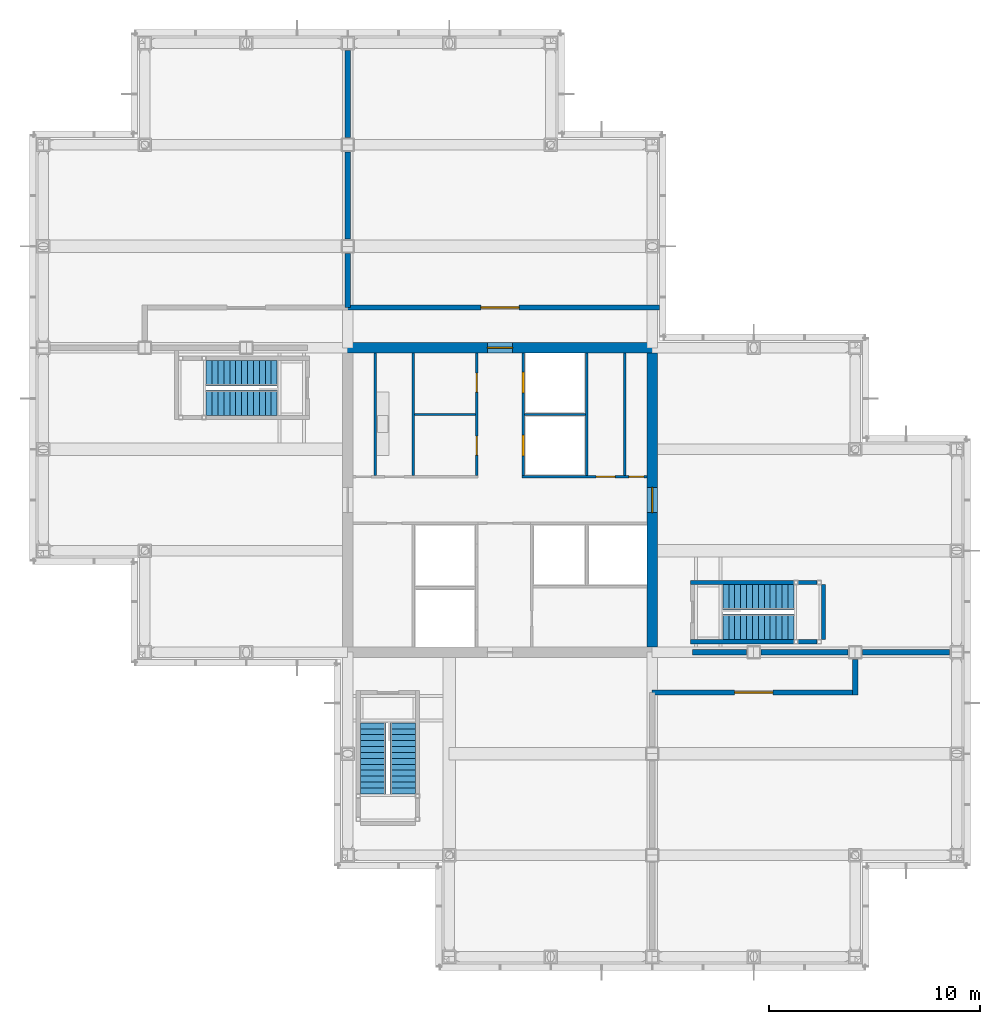
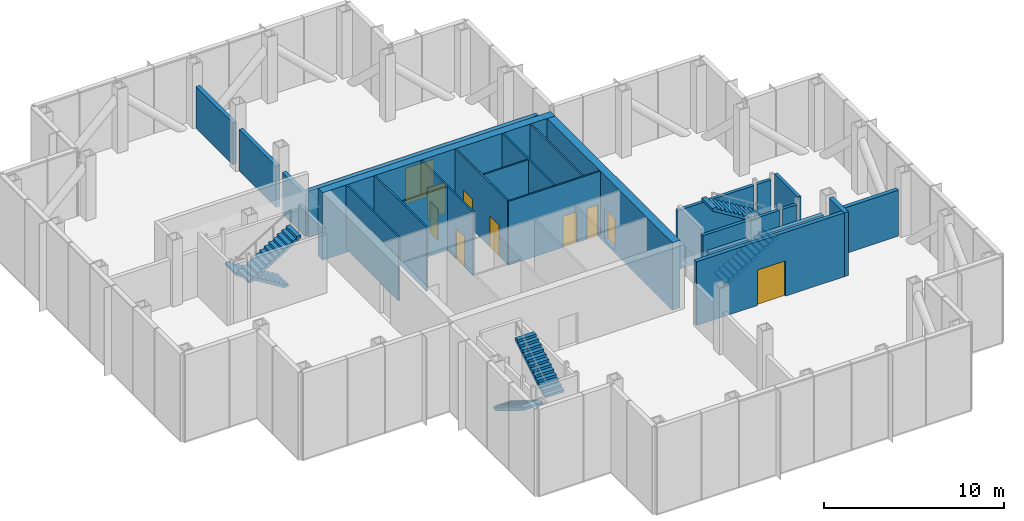
# One storey, part 14 of 17: 25 walls, 10 doors, 6 stair flights, 10 openings, 3 elements without a shape of their own.
"""IFC4 building model written with IfcOpenShell, lengths in metres."""

from ifc_helpers import new_model, si_unit, direction, frame, frame_2d, origin, place, context, subcontext, project, spatial, polyline, rectangle, outline, extrude, material, layer, layer_set, type_object, element, fill, aggregate, save


model = new_model("IFC4")

# Units and contexts
model_context = context("Model", 3, precision=1e-05, world=origin(), true_north=direction((0.0, 1.0)))
body_context = subcontext(model_context, "Body", "Model", "MODEL_VIEW")
ifc_project = project(units=[si_unit("LENGTHUNIT", "METRE"), si_unit("AREAUNIT", "SQUARE_METRE"), si_unit("VOLUMEUNIT", "CUBIC_METRE"), si_unit("PLANEANGLEUNIT", "RADIAN"), si_unit("MASSUNIT", "GRAM", prefix="KILO")], contexts=[model_context])

# Site, building, storey
site_placement = place(None, origin())
site = spatial("IfcSite", under=ifc_project, at=site_placement, CompositionType="ELEMENT")
building_placement = place(site_placement, origin())
building = spatial("IfcBuilding", under=site, at=building_placement, Name="Kvirike Care Tower", CompositionType="ELEMENT")
storey_placement = place(building_placement, frame((0.0, 0.0, 136.5)))
storey = spatial("IfcBuildingStorey", under=building, at=storey_placement, Name="L37", CompositionType="ELEMENT", Elevation=136.5)

# Wall, opening, door
ifc_material_1 = material(Name="Concrete C50/60", Category="concrete")
ifc_layer_1 = layer(ifc_material_1, 0.5)
ifc_layer_set_1 = layer_set([ifc_layer_1], Name="CORE WALL 500 C50-60")
wall_type_1 = type_object("IfcWallType", Name="CORE WALL 500 C50-60", PredefinedType="SHEAR", material=ifc_layer_set_1)
wall_1_placement = place(storey_placement, frame((29.050048828125, 43.199951171875, -0.25), z_axis=(0.0, 0.0, 1.0), x_axis=(-1.0, 0.0, 0.0)))
wall_1 = element("IfcWall", 1, at=wall_1_placement, inside=storey, type_object=wall_type_1, Name="Core wall N L37", PredefinedType="SHEAR", context=body_context, shape_type="SweptSolid", body=[
    extrude(rectangle(XDim=14.900146484375, YDim=0.5, at=frame_2d((7.4501953125, 0.0))), origin(), (0.0, 0.0, 1.0), 4.580078125),
])
opening_1_placement = place(wall_1_placement, frame((6.85009765625, 0.0, 0.25)))
opening_1 = element("IfcOpeningElement", 2, at=opening_1_placement, cuts=wall_1, Name="Opening 37-023", PredefinedType="OPENING", context=body_context, shape_type="SweptSolid", body=[
    extrude(rectangle(XDim=1.199951171875, YDim=2.10009765625, at=frame_2d((0.60009765625, 1.050048828125))), frame((0.0, 0.260498046875, 0.0), z_axis=(0.0, -1.0, 0.0), x_axis=(1.0, 0.0, 0.0)), (0.0, 0.0, 1.0), 0.52099609375),
])
ifc_material_2 = material(Name="Timber door set", Category="wood")
door_type_1 = type_object("IfcDoorType", Name="CORE DOOR 1200", OperationType="SINGLE_SWING_LEFT", PredefinedType="DOOR", material=ifc_material_2)
door_1_placement = place(opening_1_placement, origin())
door_1 = element("IfcDoor", 3, at=door_1_placement, inside=storey, type_object=door_type_1, Name="Core door N L37", OperationType="SINGLE_SWING_LEFT", OverallHeight=2.10009765625, OverallWidth=1.199951171875, PredefinedType="DOOR", context=body_context, shape_type="SweptSolid", body=[
    extrude(rectangle(XDim=1.199951171875, YDim=2.10009765625, at=frame_2d((0.60009765625, 1.050048828125))), frame((0.0, 0.02685546875, 0.0), z_axis=(0.0, -1.0, 0.0), x_axis=(1.0, 0.0, 0.0)), (0.0, 0.0, 1.0), 0.053955078125),
])
fill(opening_1, door_1)

wall_2_placement = place(storey_placement, frame((28.800048828125, 29.050048828125, -0.25), z_axis=(0.0, 0.0, 1.0), x_axis=(0.0, 1.0, 0.0)))
wall_2 = element("IfcWall", 4, at=wall_2_placement, inside=storey, type_object=wall_type_1, Name="Core wall E L37", PredefinedType="SHEAR", context=body_context, shape_type="SweptSolid", body=[
    extrude(rectangle(XDim=13.89990234375, YDim=0.5, at=frame_2d((6.949951171875, 0.0))), origin(), (0.0, 0.0, 1.0), 4.580078125),
])
opening_2_placement = place(wall_2_placement, frame((6.35009765625, 0.0, 0.25)))
opening_2 = element("IfcOpeningElement", 5, at=opening_2_placement, cuts=wall_2, Name="Opening 37-022", PredefinedType="OPENING", context=body_context, shape_type="SweptSolid", body=[
    extrude(rectangle(XDim=1.199951171875, YDim=2.10009765625, at=frame_2d((0.60009765625, 1.050048828125))), frame((0.0, 0.260498046875, 0.0), z_axis=(0.0, -1.0, 0.0), x_axis=(1.0, 0.0, 0.0)), (0.0, 0.0, 1.0), 0.52099609375),
])
door_2_placement = place(opening_2_placement, origin())
door_2 = element("IfcDoor", 6, at=door_2_placement, inside=storey, type_object=door_type_1, Name="Core door E L37", OperationType="SINGLE_SWING_LEFT", OverallHeight=2.10009765625, OverallWidth=1.199951171875, PredefinedType="DOOR", context=body_context, shape_type="SweptSolid", body=[
    extrude(rectangle(XDim=1.199951171875, YDim=2.10009765625, at=frame_2d((0.60009765625, 1.050048828125))), frame((0.0, 0.02685546875, 0.0), z_axis=(0.0, -1.0, 0.0), x_axis=(1.0, 0.0, 0.0)), (0.0, 0.0, 1.0), 0.053955078125),
])
fill(opening_2, door_2)

ifc_material_3 = material(Name="Concrete blockwork", Category="masonry")
ifc_layer_2 = layer(ifc_material_3, 0.25)
ifc_layer_set_2 = layer_set([ifc_layer_2], Name="PLANT ROOM WALL 250")
wall_type_2 = type_object("IfcWallType", Name="PLANT ROOM WALL 250", PredefinedType="SOLIDWALL", material=ifc_layer_set_2)
wall_3_placement = place(storey_placement, frame((29.14990234375, 45.10009765625, 0.0), z_axis=(0.0, 0.0, 1.0), x_axis=(-1.0, 0.0, 0.0)))
wall_3 = element("IfcWall", 7, at=wall_3_placement, inside=storey, type_object=wall_type_2, Name="Plant Room Wall 250 L37", PredefinedType="SOLIDWALL", context=body_context, shape_type="SweptSolid", body=[
    extrude(rectangle(XDim=14.75, YDim=0.25, at=frame_2d((7.375, 0.0))), origin(), (0.0, 0.0, 1.0), 3.1201171875),
])
opening_3_placement = place(wall_3_placement, frame((6.64990234375, 0.0, 0.0)))
opening_3 = element("IfcOpeningElement", 8, at=opening_3_placement, cuts=wall_3, Name="Opening 37-004", PredefinedType="OPENING", context=body_context, shape_type="SweptSolid", body=[
    extrude(rectangle(XDim=1.800048828125, YDim=2.39990234375, at=frame_2d((0.89990234375, 1.199951171875))), frame((0.0, 0.135498046875, 0.0), z_axis=(0.0, -1.0, 0.0), x_axis=(1.0, 0.0, 0.0)), (0.0, 0.0, 1.0), 0.27099609375),
])
ifc_material_4 = material(Name="Timber door set", Category="wood")
door_type_2 = type_object("IfcDoorType", Name="PLANT ROOM DOOR 1800", OperationType="DOUBLE_DOOR_SINGLE_SWING", PredefinedType="DOOR", material=ifc_material_4)
door_3_placement = place(opening_3_placement, frame((1.800048828125, 0.0, 0.0), z_axis=(0.0, 0.0, 1.0), x_axis=(-1.0, 0.0, 0.0)))
door_3 = element("IfcDoor", 9, at=door_3_placement, inside=storey, type_object=door_type_2, Name="Electrical plant room door", OperationType="DOUBLE_DOOR_SINGLE_SWING", OverallHeight=2.39990234375, OverallWidth=1.800048828125, PredefinedType="DOOR", context=body_context, shape_type="SweptSolid", body=[
    extrude(rectangle(XDim=1.800048828125, YDim=2.39990234375, at=frame_2d((0.89990234375, 1.199951171875))), frame((0.0, 0.031982421875, 0.0), z_axis=(0.0, -1.0, 0.0), x_axis=(1.0, 0.0, 0.0)), (0.0, 0.0, 1.0), 0.06396484375),
])
fill(opening_3, door_3)

wall_4_placement = place(storey_placement, frame((28.800048828125, 26.89990234375, 0.0), z_axis=(0.0, 0.0, 1.0), x_axis=(1.0, 0.0, 0.0)))
wall_4 = element("IfcWall", 10, at=wall_4_placement, inside=storey, type_object=wall_type_2, Name="Plant Room Wall 250 L37", PredefinedType="SOLIDWALL", context=body_context, shape_type="SweptSolid", body=[
    extrude(rectangle(XDim=9.599853515625, YDim=0.25, at=frame_2d((4.7998046875, 0.0))), origin(), (0.0, 0.0, 1.0), 4.330078125),
])
opening_4_placement = place(wall_4_placement, frame((3.89990234375, 0.0, 0.0)))
opening_4 = element("IfcOpeningElement", 11, at=opening_4_placement, cuts=wall_4, Name="Opening 37-005", PredefinedType="OPENING", context=body_context, shape_type="SweptSolid", body=[
    extrude(rectangle(XDim=1.800048828125, YDim=2.39990234375, at=frame_2d((0.89990234375, 1.199951171875))), frame((0.0, 0.135498046875, 0.0), z_axis=(0.0, -1.0, 0.0), x_axis=(1.0, 0.0, 0.0)), (0.0, 0.0, 1.0), 0.27099609375),
])
door_4_placement = place(opening_4_placement, frame((1.800048828125, 0.0, 0.0), z_axis=(0.0, 0.0, 1.0), x_axis=(-1.0, 0.0, 0.0)))
door_4 = element("IfcDoor", 12, at=door_4_placement, inside=storey, type_object=door_type_2, Name="Electrical plant room door", OperationType="DOUBLE_DOOR_SINGLE_SWING", OverallHeight=2.39990234375, OverallWidth=1.800048828125, PredefinedType="DOOR", context=body_context, shape_type="SweptSolid", body=[
    extrude(rectangle(XDim=1.800048828125, YDim=2.39990234375, at=frame_2d((0.89990234375, 1.199951171875))), frame((0.0, 0.031982421875, 0.0), z_axis=(0.0, -1.0, 0.0), x_axis=(1.0, 0.0, 0.0)), (0.0, 0.0, 1.0), 0.06396484375),
])
fill(opening_4, door_4)

# Walls
wall_5_placement = place(storey_placement, frame((38.39990234375, 26.77490234375, 0.0), z_axis=(0.0, 0.0, 1.0), x_axis=(0.0, 1.0, 0.0)))
element("IfcWall", 13, at=wall_5_placement, inside=storey, type_object=wall_type_2, Name="Plant Room Wall 250 L37", PredefinedType="SOLIDWALL", context=body_context, shape_type="SweptSolid", body=[
    extrude(rectangle(XDim=1.68017578125, YDim=0.25, at=frame_2d((0.840087890625, 0.0))), origin(), (0.0, 0.0, 1.0), 4.330078125),
])
wall_6_placement = place(storey_placement, frame((14.39990234375, 45.10009765625, 0.0), z_axis=(0.0, 0.0, 1.0), x_axis=(0.0, 1.0, 0.0)))
element("IfcWall", 14, at=wall_6_placement, inside=storey, type_object=wall_type_2, Name="Plant Room Wall 250 L37", PredefinedType="SOLIDWALL", context=body_context, shape_type="SweptSolid", body=[
    extrude(rectangle(XDim=2.554931640625, YDim=0.25, at=frame_2d((1.27734375, 0.0))), origin(), (0.0, 0.0, 1.0), 2.820068359375),
])
wall_7_placement = place(storey_placement, frame((14.39990234375, 48.344970703125, 0.0), z_axis=(0.0, 0.0, 1.0), x_axis=(0.0, 1.0, 0.0)))
element("IfcWall", 15, at=wall_7_placement, inside=storey, type_object=wall_type_2, Name="Plant Room Wall 250 L37", PredefinedType="SOLIDWALL", context=body_context, shape_type="SweptSolid", body=[
    extrude(rectangle(XDim=4.110107421875, YDim=0.25, at=frame_2d((2.05517578125, 0.0))), origin(), (0.0, 0.0, 1.0), 2.820068359375),
])
wall_8_placement = place(storey_placement, frame((14.39990234375, 53.14501953125, 0.0), z_axis=(0.0, 0.0, 1.0), x_axis=(0.0, 1.0, 0.0)))
element("IfcWall", 16, at=wall_8_placement, inside=storey, type_object=wall_type_2, Name="Plant Room Wall 250 L37", PredefinedType="SOLIDWALL", context=body_context, shape_type="SweptSolid", body=[
    extrude(rectangle(XDim=4.10986328125, YDim=0.25, at=frame_2d((2.054931640625, 0.0))), origin(), (0.0, 0.0, 1.0), 2.820068359375),
])
for number, where, z_axis, x_axis, name in (
    (17, (42.85498046875, 28.800048828125, 0.0), (0.0, 0.0, 1.0), (-1.0, 0.0, 0.0), "Plant Room Wall 250 L37"),
    (18, (38.054931640625, 28.800048828125, 0.0), (0.0, 0.0, 1.0), (-1.0, 0.0, 0.0), "Plant Room Wall 250 L37"),
):
    element("IfcWall", number, at=place(storey_placement, frame(where, z_axis=z_axis, x_axis=x_axis)), inside=storey, type_object=wall_type_2, Name=name, PredefinedType="SOLIDWALL", context=body_context, shape_type="SweptSolid", body=[
        extrude(rectangle(XDim=4.10986328125, YDim=0.25, at=frame_2d((2.054931640625, 0.0))), origin(), (0.0, 0.0, 1.0), 3.1201171875),
    ])
wall_9_placement = place(storey_placement, frame((33.2548828125, 28.800048828125, 0.0), z_axis=(0.0, 0.0, 1.0), x_axis=(-1.0, 0.0, 0.0)))
element("IfcWall", 19, at=wall_9_placement, inside=storey, type_object=wall_type_2, Name="Plant Room Wall 250 L37", PredefinedType="SOLIDWALL", context=body_context, shape_type="SweptSolid", body=[
    extrude(rectangle(XDim=2.554931640625, YDim=0.25, at=frame_2d((1.27734375, 0.0))), origin(), (0.0, 0.0, 1.0), 3.1201171875),
])
ifc_material_5 = material(Name="Gypsum shaft wall system", Category="gypsum")
ifc_layer_3 = layer(ifc_material_5, 0.10009765625)
ifc_layer_set_3 = layer_set([ifc_layer_3], Name="SHAFT WALL 100")
wall_type_3 = type_object("IfcWallType", Name="SHAFT WALL 100", PredefinedType="SOLIDWALL", material=ifc_layer_set_3)
for number, where, z_axis, x_axis, name in (
    (20, (15.699951171875, 37.14990234375, 0.0), (0.0, 0.0, 1.0), (0.0, 1.0, 0.0), "Shaft Wall 100 L37"),
    (21, (27.5, 37.14990234375, 0.0), (0.0, 0.0, 1.0), (0.0, 1.0, 0.0), "Shaft Wall 100 L37"),
):
    element("IfcWall", number, at=place(storey_placement, frame(where, z_axis=z_axis, x_axis=x_axis)), inside=storey, type_object=wall_type_3, Name=name, PredefinedType="SOLIDWALL", context=body_context, shape_type="SweptSolid", body=[
        extrude(rectangle(XDim=5.800048828125, YDim=0.10009765625, at=frame_2d((2.89990234375, 0.0))), origin(), (0.0, 0.0, 1.0), 4.330078125),
    ])

# Wall, openings, doors
wall_10_placement = place(storey_placement, frame((20.5, 37.14990234375, 0.0), z_axis=(0.0, 0.0, 1.0), x_axis=(0.0, 1.0, 0.0)))
wall_10 = element("IfcWall", 22, at=wall_10_placement, inside=storey, type_object=wall_type_3, Name="Shaft Wall 100 L37", PredefinedType="SOLIDWALL", context=body_context, shape_type="SweptSolid", body=[
    extrude(rectangle(XDim=5.800048828125, YDim=0.10009765625, at=frame_2d((2.89990234375, 0.0))), origin(), (0.0, 0.0, 1.0), 4.330078125),
])
opening_5_placement = place(wall_10_placement, frame((0.97509765625, 0.0, 0.0)))
opening_5 = element("IfcOpeningElement", 23, at=opening_5_placement, cuts=wall_10, Name="Opening 37-009", PredefinedType="OPENING", context=body_context, shape_type="SweptSolid", body=[
    extrude(rectangle(XDim=0.89990234375, YDim=2.10009765625, at=frame_2d((0.449951171875, 1.050048828125))), frame((0.0, 0.060546875, 0.0), z_axis=(0.0, -1.0, 0.0), x_axis=(1.0, 0.0, 0.0)), (0.0, 0.0, 1.0), 0.12109375),
])
opening_6_placement = place(wall_10_placement, frame((3.949951171875, 0.0, 0.0)))
opening_6 = element("IfcOpeningElement", 24, at=opening_6_placement, cuts=wall_10, Name="Opening 37-010", PredefinedType="OPENING", context=body_context, shape_type="SweptSolid", body=[
    extrude(rectangle(XDim=0.89990234375, YDim=2.10009765625, at=frame_2d((0.449951171875, 1.050048828125))), frame((0.0, 0.060546875, 0.0), z_axis=(0.0, -1.0, 0.0), x_axis=(1.0, 0.0, 0.0)), (0.0, 0.0, 1.0), 0.12109375),
])
ifc_material_6 = material(Name="Timber door set", Category="wood")
door_type_3 = type_object("IfcDoorType", Name="STORE DOOR 900", OperationType="SINGLE_SWING_LEFT", PredefinedType="DOOR", material=ifc_material_6)
door_5_placement = place(opening_5_placement, origin())
door_5 = element("IfcDoor", 25, at=door_5_placement, inside=storey, type_object=door_type_3, Name="Records store door", OperationType="SINGLE_SWING_RIGHT", OverallHeight=2.10009765625, OverallWidth=0.89990234375, PredefinedType="DOOR", context=body_context, shape_type="SweptSolid", body=[
    extrude(rectangle(XDim=0.89990234375, YDim=2.10009765625, at=frame_2d((0.449951171875, 1.050048828125))), frame((0.0, 0.02685546875, 0.0), z_axis=(0.0, -1.0, 0.0), x_axis=(1.0, 0.0, 0.0)), (0.0, 0.0, 1.0), 0.053955078125),
])
fill(opening_5, door_5)
door_6_placement = place(opening_6_placement, origin())
door_6 = element("IfcDoor", 26, at=door_6_placement, inside=storey, type_object=door_type_3, Name="IT room door", OperationType="SINGLE_SWING_RIGHT", OverallHeight=2.10009765625, OverallWidth=0.89990234375, PredefinedType="DOOR", context=body_context, shape_type="SweptSolid", body=[
    extrude(rectangle(XDim=0.89990234375, YDim=2.10009765625, at=frame_2d((0.449951171875, 1.050048828125))), frame((0.0, 0.02685546875, 0.0), z_axis=(0.0, -1.0, 0.0), x_axis=(1.0, 0.0, 0.0)), (0.0, 0.0, 1.0), 0.053955078125),
])
fill(opening_6, door_6)

wall_11_placement = place(storey_placement, frame((22.699951171875, 37.14990234375, 0.0), z_axis=(0.0, 0.0, 1.0), x_axis=(0.0, 1.0, 0.0)))
wall_11 = element("IfcWall", 27, at=wall_11_placement, inside=storey, type_object=wall_type_3, Name="Shaft Wall 100 L37", PredefinedType="SOLIDWALL", context=body_context, shape_type="SweptSolid", body=[
    extrude(rectangle(XDim=5.800048828125, YDim=0.10009765625, at=frame_2d((2.89990234375, 0.0))), origin(), (0.0, 0.0, 1.0), 4.330078125),
])
opening_7_placement = place(wall_11_placement, frame((0.925048828125, 0.0, 0.0)))
opening_7 = element("IfcOpeningElement", 28, at=opening_7_placement, cuts=wall_11, Name="Opening 37-011", PredefinedType="OPENING", context=body_context, shape_type="SweptSolid", body=[
    extrude(rectangle(XDim=1.0, YDim=2.10009765625, at=frame_2d((0.5, 1.050048828125))), frame((0.0, 0.060546875, 0.0), z_axis=(0.0, -1.0, 0.0), x_axis=(1.0, 0.0, 0.0)), (0.0, 0.0, 1.0), 0.12109375),
])
opening_8_placement = place(wall_11_placement, frame((3.89990234375, 0.0, 0.0)))
opening_8 = element("IfcOpeningElement", 29, at=opening_8_placement, cuts=wall_11, Name="Opening 37-012", PredefinedType="OPENING", context=body_context, shape_type="SweptSolid", body=[
    extrude(rectangle(XDim=1.0, YDim=2.10009765625, at=frame_2d((0.5, 1.050048828125))), frame((0.0, 0.060546875, 0.0), z_axis=(0.0, -1.0, 0.0), x_axis=(1.0, 0.0, 0.0)), (0.0, 0.0, 1.0), 0.12109375),
])
ifc_material_7 = material(Name="Aluminium door frame", Category="aluminium")
door_type_4 = type_object("IfcDoorType", Name="LIFT LANDING DOOR 1000", OperationType="SLIDING_TO_LEFT", PredefinedType="DOOR", material=ifc_material_7)
door_7_placement = place(opening_7_placement, origin())
door_7 = element("IfcDoor", 30, at=door_7_placement, inside=storey, type_object=door_type_4, Name="Lift P3 landing door", OperationType="SLIDING_TO_LEFT", OverallHeight=2.10009765625, OverallWidth=1.0, PredefinedType="DOOR", context=body_context, shape_type="SweptSolid", body=[
    extrude(rectangle(XDim=1.0, YDim=2.10009765625, at=frame_2d((0.5, 1.050048828125))), frame((0.0, 0.0498046875, 0.0), z_axis=(0.0, -1.0, 0.0), x_axis=(1.0, 0.0, 0.0)), (0.0, 0.0, 1.0), 0.099609375),
])
fill(opening_7, door_7)
door_8_placement = place(opening_8_placement, origin())
door_8 = element("IfcDoor", 31, at=door_8_placement, inside=storey, type_object=door_type_4, Name="Lift P4 landing door", OperationType="SLIDING_TO_LEFT", OverallHeight=2.10009765625, OverallWidth=1.0, PredefinedType="DOOR", context=body_context, shape_type="SweptSolid", body=[
    extrude(rectangle(XDim=1.0, YDim=2.10009765625, at=frame_2d((0.5, 1.050048828125))), frame((0.0, 0.0498046875, 0.0), z_axis=(0.0, -1.0, 0.0), x_axis=(1.0, 0.0, 0.0)), (0.0, 0.0, 1.0), 0.099609375),
])
fill(opening_8, door_8)

wall_12_placement = place(storey_placement, frame((22.64990234375, 37.10009765625, 0.0), z_axis=(0.0, 0.0, 1.0), x_axis=(1.0, 0.0, 0.0)))
wall_12 = element("IfcWall", 32, at=wall_12_placement, inside=storey, type_object=wall_type_3, Name="Shaft Wall 100 L37", PredefinedType="SOLIDWALL", context=body_context, shape_type="SweptSolid", body=[
    extrude(rectangle(XDim=5.900146484375, YDim=0.10009765625, at=frame_2d((2.9501953125, 0.0))), origin(), (0.0, 0.0, 1.0), 4.330078125),
])
opening_9_placement = place(wall_12_placement, frame((3.5, 0.0, 0.0)))
opening_9 = element("IfcOpeningElement", 33, at=opening_9_placement, cuts=wall_12, Name="Opening 37-017", PredefinedType="OPENING", context=body_context, shape_type="SweptSolid", body=[
    extrude(rectangle(XDim=0.89990234375, YDim=2.10009765625, at=frame_2d((0.449951171875, 1.050048828125))), frame((0.0, 0.060546875, 0.0), z_axis=(0.0, -1.0, 0.0), x_axis=(1.0, 0.0, 0.0)), (0.0, 0.0, 1.0), 0.12109375),
])
opening_10_placement = place(wall_12_placement, frame((5.050048828125, 0.0, 0.0)))
opening_10 = element("IfcOpeningElement", 34, at=opening_10_placement, cuts=wall_12, Name="Opening 37-018", PredefinedType="OPENING", context=body_context, shape_type="SweptSolid", body=[
    extrude(rectangle(XDim=0.699951171875, YDim=2.10009765625, at=frame_2d((0.35009765625, 1.050048828125))), frame((0.0, 0.060546875, 0.0), z_axis=(0.0, -1.0, 0.0), x_axis=(1.0, 0.0, 0.0)), (0.0, 0.0, 1.0), 0.12109375),
])
ifc_material_8 = material(Name="Timber door set", Category="wood")
door_type_5 = type_object("IfcDoorType", Name="RISER DOOR 700", OperationType="SINGLE_SWING_LEFT", PredefinedType="DOOR", material=ifc_material_8)
door_9_placement = place(opening_10_placement, origin())
door_9 = element("IfcDoor", 35, at=door_9_placement, inside=storey, type_object=door_type_5, Name="Riser door", OperationType="SINGLE_SWING_RIGHT", OverallHeight=2.10009765625, OverallWidth=0.699951171875, PredefinedType="DOOR", context=body_context, shape_type="SweptSolid", body=[
    extrude(rectangle(XDim=0.699951171875, YDim=2.10009765625, at=frame_2d((0.35009765625, 1.050048828125))), frame((0.0, 0.02685546875, 0.0), z_axis=(0.0, -1.0, 0.0), x_axis=(1.0, 0.0, 0.0)), (0.0, 0.0, 1.0), 0.053955078125),
])
fill(opening_10, door_9)
door_10_placement = place(opening_9_placement, origin())
door_10 = element("IfcDoor", 36, at=door_10_placement, inside=storey, type_object=door_type_3, Name="Cleaners store door", OperationType="SINGLE_SWING_LEFT", OverallHeight=2.10009765625, OverallWidth=0.89990234375, PredefinedType="DOOR", context=body_context, shape_type="SweptSolid", body=[
    extrude(rectangle(XDim=0.89990234375, YDim=2.10009765625, at=frame_2d((0.449951171875, 1.050048828125))), frame((0.0, 0.02685546875, 0.0), z_axis=(0.0, -1.0, 0.0), x_axis=(1.0, 0.0, 0.0)), (0.0, 0.0, 1.0), 0.053955078125),
])
fill(opening_9, door_10)

# Walls
wall_13_placement = place(storey_placement, frame((17.5, 37.14990234375, 0.0), z_axis=(0.0, 0.0, 1.0), x_axis=(0.0, 1.0, 0.0)))
element("IfcWall", 37, at=wall_13_placement, inside=storey, type_object=wall_type_3, Name="Shaft Wall 100 L37", PredefinedType="SOLIDWALL", context=body_context, shape_type="SweptSolid", body=[
    extrude(rectangle(XDim=5.800048828125, YDim=0.10009765625, at=frame_2d((2.89990234375, 0.0))), origin(), (0.0, 0.0, 1.0), 4.330078125),
])
for number, where, z_axis, x_axis, name in (
    (38, (17.550048828125, 40.050048828125, 0.0), (0.0, 0.0, 1.0), (1.0, 0.0, 0.0), "Shaft Wall 100 L37"),
    (39, (22.75, 40.050048828125, 0.0), (0.0, 0.0, 1.0), (1.0, 0.0, 0.0), "Shaft Wall 100 L37"),
):
    element("IfcWall", number, at=place(storey_placement, frame(where, z_axis=z_axis, x_axis=x_axis)), inside=storey, type_object=wall_type_3, Name=name, PredefinedType="SOLIDWALL", context=body_context, shape_type="SweptSolid", body=[
        extrude(rectangle(XDim=2.89990234375, YDim=0.10009765625, at=frame_2d((1.449951171875, 0.0))), origin(), (0.0, 0.0, 1.0), 4.330078125),
    ])
wall_14_placement = place(storey_placement, frame((25.699951171875, 37.14990234375, 0.0), z_axis=(0.0, 0.0, 1.0), x_axis=(0.0, 1.0, 0.0)))
element("IfcWall", 40, at=wall_14_placement, inside=storey, type_object=wall_type_3, Name="Shaft Wall 100 L37", PredefinedType="SOLIDWALL", context=body_context, shape_type="SweptSolid", body=[
    extrude(rectangle(XDim=5.800048828125, YDim=0.10009765625, at=frame_2d((2.89990234375, 0.0))), origin(), (0.0, 0.0, 1.0), 4.330078125),
])
ifc_material_9 = material(Name="Concrete C40/50", Category="concrete")
ifc_layer_4 = layer(ifc_material_9, 0.199951171875)
ifc_layer_set_4 = layer_set([ifc_layer_4], Name="STAIR WALL 200")
wall_type_4 = type_object("IfcWallType", Name="STAIR WALL 200", PredefinedType="SOLIDWALL", material=ifc_layer_set_4)
wall_15_placement = place(storey_placement, frame((36.60009765625, 29.300048828125, 0.0), z_axis=(0.0, 0.0, 1.0), x_axis=(-1.0, 0.0, 0.0)))
element("IfcWall", 41, at=wall_15_placement, inside=storey, type_object=wall_type_4, Name="Stair Wall 200 L37", PredefinedType="SOLIDWALL", context=body_context, shape_type="SweptSolid", body=[
    extrude(rectangle(XDim=0.900146484375, YDim=0.199951171875, at=frame_2d((0.4501953125, 0.0))), origin(), (0.0, 0.0, 1.0), 3.989990234375),
])
wall_16_placement = place(storey_placement, frame((35.5, 29.300048828125, 0.0), z_axis=(0.0, 0.0, 1.0), x_axis=(-1.0, 0.0, 0.0)))
element("IfcWall", 42, at=wall_16_placement, inside=storey, type_object=wall_type_4, Name="Stair Wall 200 L37", PredefinedType="SOLIDWALL", context=body_context, shape_type="SweptSolid", body=[
    extrude(rectangle(XDim=4.89990234375, YDim=0.199951171875, at=frame_2d((2.449951171875, 0.0))), origin(), (0.0, 0.0, 1.0), 3.989990234375),
])
wall_17_placement = place(storey_placement, frame((36.60009765625, 32.10009765625, 0.0), z_axis=(0.0, 0.0, 1.0), x_axis=(-1.0, 0.0, 0.0)))
element("IfcWall", 43, at=wall_17_placement, inside=storey, type_object=wall_type_4, Name="Stair Wall 200 L37", PredefinedType="SOLIDWALL", context=body_context, shape_type="SweptSolid", body=[
    extrude(rectangle(XDim=0.900146484375, YDim=0.199951171875, at=frame_2d((0.4501953125, 0.0))), origin(), (0.0, 0.0, 1.0), 3.989990234375),
])
wall_18_placement = place(storey_placement, frame((35.5, 32.10009765625, 0.0), z_axis=(0.0, 0.0, 1.0), x_axis=(-1.0, 0.0, 0.0)))
element("IfcWall", 44, at=wall_18_placement, inside=storey, type_object=wall_type_4, Name="Stair Wall 200 L37", PredefinedType="SOLIDWALL", context=body_context, shape_type="SweptSolid", body=[
    extrude(rectangle(XDim=4.89990234375, YDim=0.199951171875, at=frame_2d((2.449951171875, 0.0))), origin(), (0.0, 0.0, 1.0), 3.989990234375),
])
wall_19_placement = place(storey_placement, frame((36.89990234375, 29.39990234375, 0.0), z_axis=(0.0, 0.0, 1.0), x_axis=(0.0, 1.0, 0.0)))
element("IfcWall", 45, at=wall_19_placement, inside=storey, type_object=wall_type_4, Name="Stair Wall 200 L37", PredefinedType="SOLIDWALL", context=body_context, shape_type="SweptSolid", body=[
    extrude(rectangle(XDim=2.60009765625, YDim=0.199951171875, at=frame_2d((1.300048828125, 0.0))), origin(), (0.0, 0.0, 1.0), 4.330078125),
])

# Stair, stair flights
ifc_material_10 = material(Name="Concrete C35/45", Category="concrete")
stair_type = type_object("IfcStairType", Name="STAIR 26 RISERS", PredefinedType="HALF_TURN_STAIR", material=ifc_material_10)
stair_1_placement = place(storey_placement, origin())
stair_1 = element("IfcStair", 46, at=stair_1_placement, inside=storey, type_object=stair_type, Name="Stair 1 L37", PredefinedType="HALF_TURN_STAIR")
ifc_material_11 = material(Name="Concrete C35/45", Category="concrete")
stair_flight_type = type_object("IfcStairFlightType", Name="FLIGHT 13 RISERS", PredefinedType="STRAIGHT", material=ifc_material_11)
stair_flight_1_placement = place(storey_placement, frame((11.06005859375, 42.0, 0.0), z_axis=(0.0, 0.0, 1.0), x_axis=(-1.0, 0.0, 0.0)))
stair_flight_1 = element("IfcStairFlight", 47, at=stair_flight_1_placement, type_object=stair_flight_type, Name="Stair S1 flight 1 L37-L38", NumberOfRisers=13, NumberOfTreads=12, PredefinedType="STRAIGHT", RiserHeight=0.173076923, TreadLength=0.28, context=body_context, shape_type="SweptSolid", body=[
    extrude(outline(polyline([(0.0, 0.0), (0.0, 0.173095703125), (0.280029296875, 0.173095703125), (0.280029296875, 0.34619140625), (0.56005859375, 0.34619140625), (0.56005859375, 0.519287109375), (0.840087890625, 0.519287109375), (0.840087890625, 0.6923828125), (1.1201171875, 0.6923828125), (1.1201171875, 0.865478515625), (1.39990234375, 0.865478515625), (1.39990234375, 1.03857421875), (1.679931640625, 1.03857421875), (1.679931640625, 1.21142578125), (1.9599609375, 1.21142578125), (1.9599609375, 1.384521484375), (2.239990234375, 1.384521484375), (2.239990234375, 1.5576171875), (2.52001953125, 1.5576171875), (2.52001953125, 1.730712890625), (2.800048828125, 1.730712890625), (2.800048828125, 1.90380859375), (3.080078125, 1.90380859375), (3.080078125, 2.076904296875), (3.360107421875, 2.076904296875), (3.360107421875, 2.25), (3.360107421875, 1.900634765625), (0.28515625, 0.0), (0.0, 0.0)])), frame((0.0, 0.60009765625, 0.0), z_axis=(0.0, -1.0, 0.0), x_axis=(1.0, 0.0, 0.0)), (0.0, 0.0, 1.0), 1.199951171875),
])
stair_flight_2_placement = place(storey_placement, frame((7.699951171875, 40.60009765625, 2.25), z_axis=(0.0, 0.0, 1.0), x_axis=(1.0, 0.0, 0.0)))
stair_flight_2 = element("IfcStairFlight", 48, at=stair_flight_2_placement, type_object=stair_flight_type, Name="Stair S1 flight 2 L37-L38", NumberOfRisers=13, NumberOfTreads=12, PredefinedType="STRAIGHT", RiserHeight=0.173076923, TreadLength=0.28, context=body_context, shape_type="SweptSolid", body=[
    extrude(outline(polyline([(0.0, 0.0), (0.0, 0.173095703125), (0.280029296875, 0.173095703125), (0.280029296875, 0.34619140625), (0.56005859375, 0.34619140625), (0.56005859375, 0.519287109375), (0.840087890625, 0.519287109375), (0.840087890625, 0.6923828125), (1.1201171875, 0.6923828125), (1.1201171875, 0.865478515625), (1.39990234375, 0.865478515625), (1.39990234375, 1.03857421875), (1.679931640625, 1.03857421875), (1.679931640625, 1.21142578125), (1.9599609375, 1.21142578125), (1.9599609375, 1.384521484375), (2.239990234375, 1.384521484375), (2.239990234375, 1.5576171875), (2.52001953125, 1.5576171875), (2.52001953125, 1.730712890625), (2.800048828125, 1.730712890625), (2.800048828125, 1.90380859375), (3.080078125, 1.90380859375), (3.080078125, 2.076904296875), (3.360107421875, 2.076904296875), (3.360107421875, 2.25), (3.360107421875, 1.900634765625), (0.28515625, 0.0), (0.0, 0.0)])), frame((0.0, 0.60009765625, 0.0), z_axis=(0.0, -1.0, 0.0), x_axis=(1.0, 0.0, 0.0)), (0.0, 0.0, 1.0), 1.199951171875),
])
aggregate(stair_1, [stair_flight_1, stair_flight_2])

stair_2_placement = place(storey_placement, origin())
stair_2 = element("IfcStair", 49, at=stair_2_placement, inside=storey, type_object=stair_type, Name="Stair 2 L37", PredefinedType="HALF_TURN_STAIR")
stair_flight_3_placement = place(storey_placement, frame((32.139892578125, 30.0, 0.0), z_axis=(0.0, 0.0, 1.0), x_axis=(1.0, 0.0, 0.0)))
stair_flight_3 = element("IfcStairFlight", 50, at=stair_flight_3_placement, type_object=stair_flight_type, Name="Stair S2 flight 1 L37-L38", NumberOfRisers=13, NumberOfTreads=12, PredefinedType="STRAIGHT", RiserHeight=0.173076923, TreadLength=0.28, context=body_context, shape_type="SweptSolid", body=[
    extrude(outline(polyline([(0.0, 0.0), (0.0, 0.173095703125), (0.280029296875, 0.173095703125), (0.280029296875, 0.34619140625), (0.56005859375, 0.34619140625), (0.56005859375, 0.519287109375), (0.840087890625, 0.519287109375), (0.840087890625, 0.6923828125), (1.1201171875, 0.6923828125), (1.1201171875, 0.865478515625), (1.39990234375, 0.865478515625), (1.39990234375, 1.03857421875), (1.679931640625, 1.03857421875), (1.679931640625, 1.21142578125), (1.9599609375, 1.21142578125), (1.9599609375, 1.384521484375), (2.239990234375, 1.384521484375), (2.239990234375, 1.5576171875), (2.52001953125, 1.5576171875), (2.52001953125, 1.730712890625), (2.800048828125, 1.730712890625), (2.800048828125, 1.90380859375), (3.080078125, 1.90380859375), (3.080078125, 2.076904296875), (3.360107421875, 2.076904296875), (3.360107421875, 2.25), (3.360107421875, 1.900634765625), (0.28515625, 0.0), (0.0, 0.0)])), frame((0.0, 0.60009765625, 0.0), z_axis=(0.0, -1.0, 0.0), x_axis=(1.0, 0.0, 0.0)), (0.0, 0.0, 1.0), 1.199951171875),
])
stair_flight_4_placement = place(storey_placement, frame((35.5, 31.39990234375, 2.25), z_axis=(0.0, 0.0, 1.0), x_axis=(-1.0, 0.0, 0.0)))
stair_flight_4 = element("IfcStairFlight", 51, at=stair_flight_4_placement, type_object=stair_flight_type, Name="Stair S2 flight 2 L37-L38", NumberOfRisers=13, NumberOfTreads=12, PredefinedType="STRAIGHT", RiserHeight=0.173076923, TreadLength=0.28, context=body_context, shape_type="SweptSolid", body=[
    extrude(outline(polyline([(0.0, 0.0), (0.0, 0.173095703125), (0.280029296875, 0.173095703125), (0.280029296875, 0.34619140625), (0.56005859375, 0.34619140625), (0.56005859375, 0.519287109375), (0.840087890625, 0.519287109375), (0.840087890625, 0.6923828125), (1.1201171875, 0.6923828125), (1.1201171875, 0.865478515625), (1.39990234375, 0.865478515625), (1.39990234375, 1.03857421875), (1.679931640625, 1.03857421875), (1.679931640625, 1.21142578125), (1.9599609375, 1.21142578125), (1.9599609375, 1.384521484375), (2.239990234375, 1.384521484375), (2.239990234375, 1.5576171875), (2.52001953125, 1.5576171875), (2.52001953125, 1.730712890625), (2.800048828125, 1.730712890625), (2.800048828125, 1.90380859375), (3.080078125, 1.90380859375), (3.080078125, 2.076904296875), (3.360107421875, 2.076904296875), (3.360107421875, 2.25), (3.360107421875, 1.900634765625), (0.28515625, 0.0), (0.0, 0.0)])), frame((0.0, 0.60009765625, 0.0), z_axis=(0.0, -1.0, 0.0), x_axis=(1.0, 0.0, 0.0)), (0.0, 0.0, 1.0), 1.199951171875),
])
aggregate(stair_2, [stair_flight_3, stair_flight_4])

stair_3_placement = place(storey_placement, origin())
stair_3 = element("IfcStair", 52, at=stair_3_placement, inside=storey, type_object=stair_type, Name="Stair 5 L37", PredefinedType="HALF_TURN_STAIR")
stair_flight_5_placement = place(storey_placement, frame((15.60009765625, 25.4599609375, 0.0), z_axis=(0.0, 0.0, 1.0), x_axis=(0.0, -1.0, 0.0)))
stair_flight_5 = element("IfcStairFlight", 53, at=stair_flight_5_placement, type_object=stair_flight_type, Name="Stair S5 flight 1 L37-L38", NumberOfRisers=13, NumberOfTreads=12, PredefinedType="STRAIGHT", RiserHeight=0.173076923, TreadLength=0.28, context=body_context, shape_type="SweptSolid", body=[
    extrude(outline(polyline([(0.0, 0.0), (0.0, 0.173095703125), (0.280029296875, 0.173095703125), (0.280029296875, 0.34619140625), (0.56005859375, 0.34619140625), (0.56005859375, 0.519287109375), (0.840087890625, 0.519287109375), (0.840087890625, 0.6923828125), (1.1201171875, 0.6923828125), (1.1201171875, 0.865478515625), (1.39990234375, 0.865478515625), (1.39990234375, 1.03857421875), (1.679931640625, 1.03857421875), (1.679931640625, 1.21142578125), (1.9599609375, 1.21142578125), (1.9599609375, 1.384521484375), (2.239990234375, 1.384521484375), (2.239990234375, 1.5576171875), (2.52001953125, 1.5576171875), (2.52001953125, 1.730712890625), (2.800048828125, 1.730712890625), (2.800048828125, 1.90380859375), (3.080078125, 1.90380859375), (3.080078125, 2.076904296875), (3.360107421875, 2.076904296875), (3.360107421875, 2.25), (3.360107421875, 1.900634765625), (0.28515625, 0.0), (0.0, 0.0)])), frame((0.0, 0.60009765625, 0.0), z_axis=(0.0, -1.0, 0.0), x_axis=(1.0, 0.0, 0.0)), (0.0, 0.0, 1.0), 1.199951171875),
])
stair_flight_6_placement = place(storey_placement, frame((17.0, 22.10009765625, 2.25), z_axis=(0.0, 0.0, 1.0), x_axis=(0.0, 1.0, 0.0)))
stair_flight_6 = element("IfcStairFlight", 54, at=stair_flight_6_placement, type_object=stair_flight_type, Name="Stair S5 flight 2 L37-L38", NumberOfRisers=13, NumberOfTreads=12, PredefinedType="STRAIGHT", RiserHeight=0.173076923, TreadLength=0.28, context=body_context, shape_type="SweptSolid", body=[
    extrude(outline(polyline([(0.0, 0.0), (0.0, 0.173095703125), (0.280029296875, 0.173095703125), (0.280029296875, 0.34619140625), (0.56005859375, 0.34619140625), (0.56005859375, 0.519287109375), (0.840087890625, 0.519287109375), (0.840087890625, 0.6923828125), (1.1201171875, 0.6923828125), (1.1201171875, 0.865478515625), (1.39990234375, 0.865478515625), (1.39990234375, 1.03857421875), (1.679931640625, 1.03857421875), (1.679931640625, 1.21142578125), (1.9599609375, 1.21142578125), (1.9599609375, 1.384521484375), (2.239990234375, 1.384521484375), (2.239990234375, 1.5576171875), (2.52001953125, 1.5576171875), (2.52001953125, 1.730712890625), (2.800048828125, 1.730712890625), (2.800048828125, 1.90380859375), (3.080078125, 1.90380859375), (3.080078125, 2.076904296875), (3.360107421875, 2.076904296875), (3.360107421875, 2.25), (3.360107421875, 1.900634765625), (0.28515625, 0.0), (0.0, 0.0)])), frame((0.0, 0.60009765625, 0.0), z_axis=(0.0, -1.0, 0.0), x_axis=(1.0, 0.0, 0.0)), (0.0, 0.0, 1.0), 1.199951171875),
])
aggregate(stair_3, [stair_flight_5, stair_flight_6])

save(model, "model.ifc")
